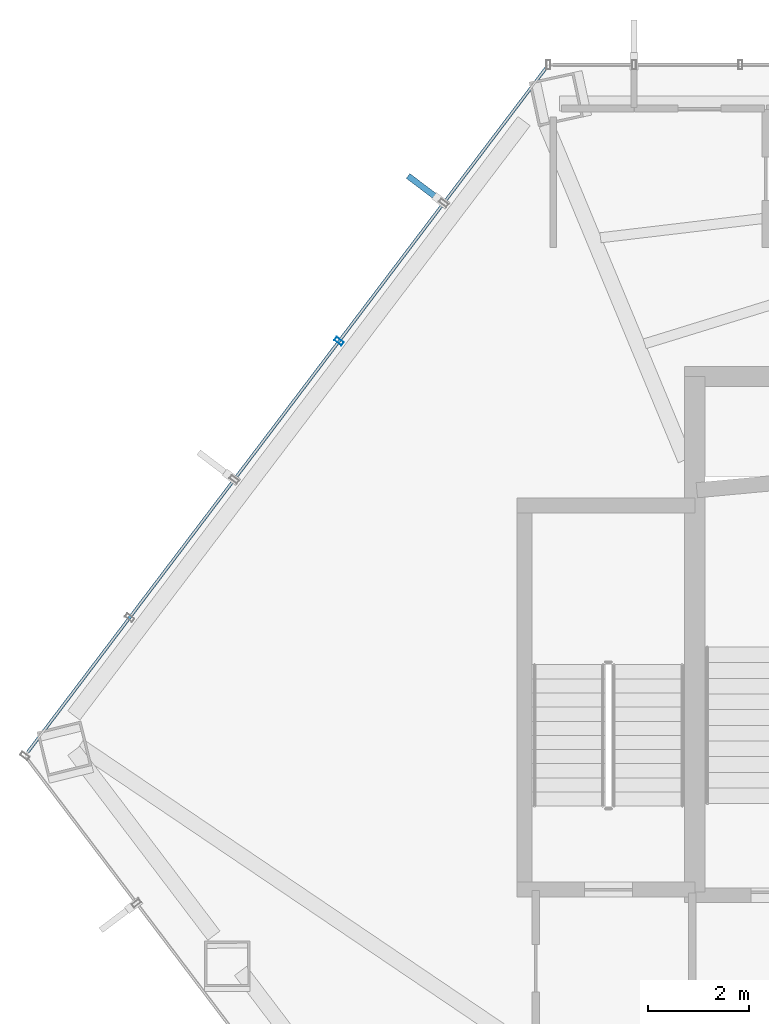
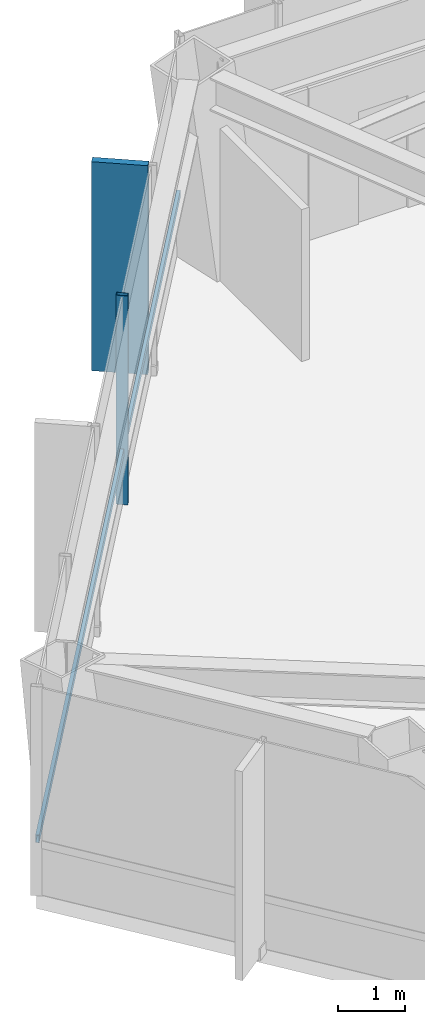
# One storey, part 11 of 26: 3 members, 1 element without a shape of its own.
"""IFC4 building model written with IfcOpenShell, lengths in metres."""

from ifc_helpers import new_model, si_unit, direction, frame, origin, origin_2d, place, context, subcontext, project, spatial, rectangle, hollow_rectangle, extrude, material, layer, layer_set, material_profile, profile_set, type_object, element, aggregate, save


model = new_model("IFC4")

# Units and contexts
model_context = context("Model", 3, precision=1e-05, world=origin(), true_north=direction((0.0, 1.0)))
body_context = subcontext(model_context, "Body", "Model", "MODEL_VIEW")
ifc_project = project(units=[si_unit("LENGTHUNIT", "METRE"), si_unit("AREAUNIT", "SQUARE_METRE"), si_unit("VOLUMEUNIT", "CUBIC_METRE"), si_unit("PLANEANGLEUNIT", "RADIAN"), si_unit("MASSUNIT", "GRAM", prefix="KILO")], contexts=[model_context])

# Site, building, storey
site_placement = place(None, origin())
site = spatial("IfcSite", under=ifc_project, at=site_placement, CompositionType="ELEMENT")
building_placement = place(site_placement, origin())
building = spatial("IfcBuilding", under=site, at=building_placement, Name="Zarrinselat Tower", CompositionType="ELEMENT")
storey_placement = place(building_placement, frame((0.0, 0.0, 92.820068359375)))
storey = spatial("IfcBuildingStorey", under=building, at=storey_placement, Name="L22", CompositionType="ELEMENT", Elevation=92.820068359375)

# Curtain wall, members
ifc_material_1 = material(Name="Extruded Aluminium Alloy EN AW-6063 T6", Category="aluminium")
ifc_layer = layer(ifc_material_1, 0.18505859375)
ifc_layer_set = layer_set([ifc_layer], Name="Extruded Aluminium Alloy EN AW-6063 T6")
curtain_wall_type = type_object("IfcCurtainWallType", Name="CWS-OFF", PredefinedType="NOTDEFINED", material=ifc_layer_set)
curtain_wall_placement = place(storey_placement, origin())
curtain_wall = element("IfcCurtainWall", 1, at=curtain_wall_placement, inside=storey, type_object=curtain_wall_type, Name="L22 Unitised Curtain Wall CW-L22-E02", PredefinedType="NOTDEFINED")
ifc_material_2 = material(Name="Extruded Aluminium Alloy EN AW-6063 T6", Category="aluminium")
ifc_material_profile_1 = material_profile(ifc_material_2, hollow_rectangle(XDim=0.080078125, YDim=0.179931640625, WallThickness=0.0048828125, at=origin_2d()), Name="RHS 180x80x5")
ifc_profile_set_1 = profile_set([ifc_material_profile_1], Name="Extruded Aluminium Alloy EN AW-6063 T6")
member_type_1 = type_object("IfcMemberType", Name="MEM-CW-MUL", PredefinedType="MULLION", material=ifc_profile_set_1)
member_1_placement = place(storey_placement, frame((21.561767578125, 44.148193359375, 0.0), z_axis=(0.0, 0.0, 1.0), x_axis=(-0.603857014451, -0.797092658414, 0.0)))
member_1 = element("IfcMember", 2, at=member_1_placement, type_object=member_type_1, Name="CW-L22-E02 Mullion 2", PredefinedType="MULLION", context=body_context, shape_type="SweptSolid", body=[
    extrude(hollow_rectangle(XDim=0.080078125, YDim=0.179931640625, WallThickness=0.0048828125, at=origin_2d()), origin(), (0.0, 0.0, 1.0), 3.81982421875),
])
ifc_material_3 = material(Name="Extruded Aluminium Alloy EN AW-6063 T6", Category="aluminium")
ifc_material_profile_2 = material_profile(ifc_material_3, hollow_rectangle(XDim=0.06005859375, YDim=0.139892578125, WallThickness=0.00390625, at=origin_2d()), Name="RHS 140x60x4")
ifc_profile_set_2 = profile_set([ifc_material_profile_2], Name="Extruded Aluminium Alloy EN AW-6063 T6")
member_type_2 = type_object("IfcMemberType", Name="MEM-CW-TRN", PredefinedType="USERDEFINED", material=ifc_profile_set_2)
member_2_placement = place(storey_placement, frame((25.650146484375, 49.544921875, 0.949951171875), z_axis=(-0.603852979489, -0.797095715183, 0.0), x_axis=(0.797095715183, -0.603852979489, 0.0)))
member_2 = element("IfcMember", 3, at=member_2_placement, type_object=member_type_2, Name="CW-L22-E02 Transom 1", ObjectType="TRANSOM", PredefinedType="USERDEFINED", context=body_context, shape_type="SweptSolid", body=[
    extrude(hollow_rectangle(XDim=0.06005859375, YDim=0.139892578125, WallThickness=0.00390625, at=origin_2d()), origin(), (0.0, 0.0, 1.0), 16.97119140625),
])
ifc_material_4 = material(Name="Honed Cream Travertine Stone", Category="masonry")
ifc_material_profile_3 = material_profile(ifc_material_4, rectangle(XDim=0.1201171875, YDim=0.85009765625, at=origin_2d()), Name="FIN 850x120")
ifc_profile_set_3 = profile_set([ifc_material_profile_3], Name="Honed Cream Travertine Stone")
member_type_3 = type_object("IfcMemberType", Name="MEM-STONE-FIN", PredefinedType="USERDEFINED", material=ifc_profile_set_3)
member_3_placement = place(storey_placement, frame((23.266357421875, 47.160400390625, 0.0), z_axis=(0.0, 0.0, 1.0), x_axis=(0.603857014451, 0.797092658414, 0.0)))
member_3 = element("IfcMember", 4, at=member_3_placement, type_object=member_type_3, Name="L22 Stone Shading Fin CW-L22-E02-01", ObjectType="FIN", PredefinedType="USERDEFINED", context=body_context, shape_type="SweptSolid", body=[
    extrude(rectangle(XDim=0.1201171875, YDim=0.85009765625, at=origin_2d()), origin(), (0.0, 0.0, 1.0), 3.81982421875),
])
aggregate(curtain_wall, [member_3, member_1, member_2])

save(model, "model.ifc")
